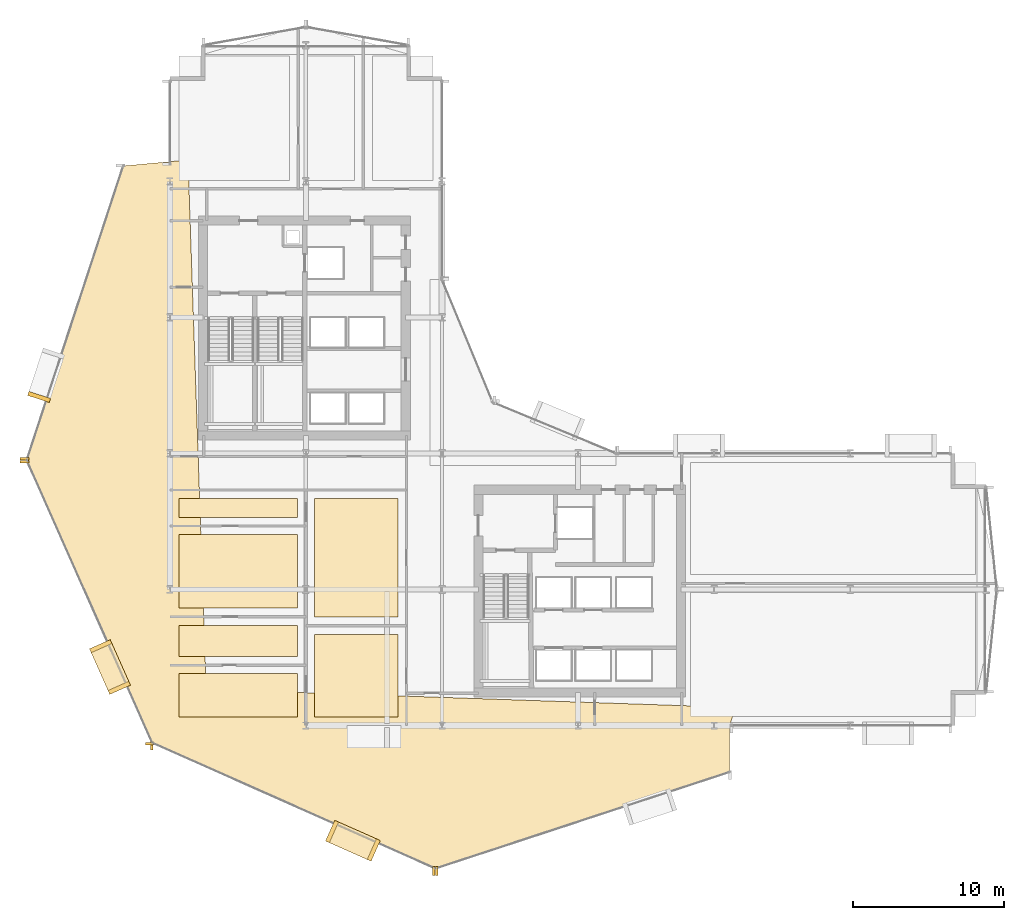
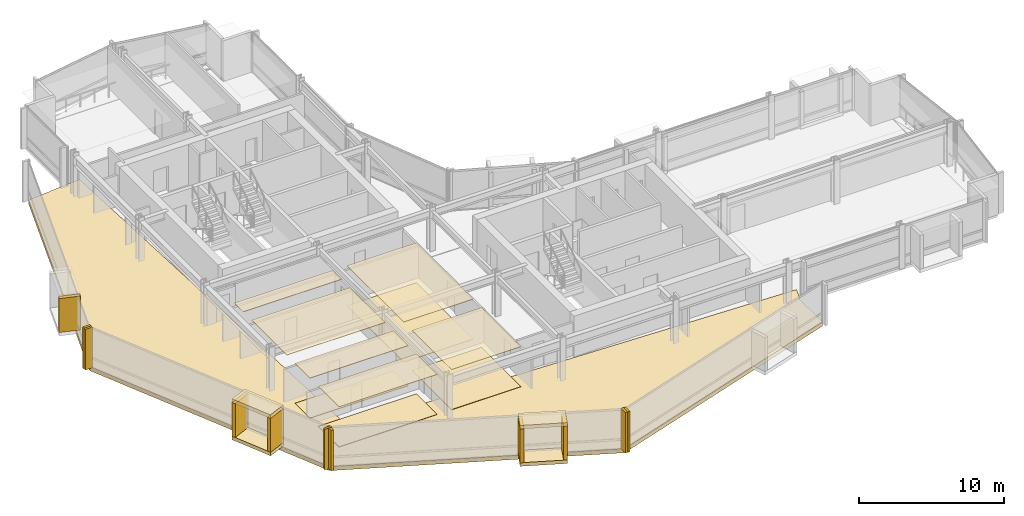
# One storey, part 30 of 34: 26 coverings.
"""IFC4 building model written with IfcOpenShell, lengths in metres."""

from ifc_helpers import new_model, si_unit, direction, frame, origin, origin_2d, place, context, subcontext, project, spatial, polyline, rectangle, outline, extrude, material, layer, layer_set, type_object, element, save


model = new_model("IFC4")

# Units and contexts
model_context = context("Model", 3, precision=1e-05, world=origin(), true_north=direction((0.0, 1.0)))
body_context = subcontext(model_context, "Body", "Model", "MODEL_VIEW")
ifc_project = project(units=[si_unit("LENGTHUNIT", "METRE"), si_unit("AREAUNIT", "SQUARE_METRE"), si_unit("VOLUMEUNIT", "CUBIC_METRE"), si_unit("PLANEANGLEUNIT", "RADIAN"), si_unit("MASSUNIT", "GRAM", prefix="KILO")], contexts=[model_context])

# Site, building, storey
site_placement = place(None, origin())
site = spatial("IfcSite", under=ifc_project, at=site_placement, CompositionType="ELEMENT")
building_placement = place(site_placement, origin())
building = spatial("IfcBuilding", under=site, at=building_placement, Name="Solvaryn Broadcast Tower", CompositionType="ELEMENT")
storey_placement = place(building_placement, frame((0.0, 0.0, 65.60009765625)))
storey = spatial("IfcBuildingStorey", under=building, at=storey_placement, Name="L15", CompositionType="ELEMENT", Elevation=65.60009765625)

# Coverings
ifc_material_1 = material(Name="Micro-Perforated Acoustic Gypsum Ceiling", Category="concrete")
ifc_layer_1 = layer(ifc_material_1, 0.0400390625)
ifc_layer_set_1 = layer_set([ifc_layer_1], Name="CV-CEIL-ACOUSTIC")
covering_type_1 = type_object("IfcCoveringType", Name="CV-CEIL-ACOUSTIC", PredefinedType="CEILING", material=ifc_layer_set_1)
covering_1_placement = place(storey_placement, frame((0.0, 0.0, 3.3798828125)))
element("IfcCovering", 1, at=covering_1_placement, inside=storey, type_object=covering_type_1, Name="L15 Room Acoustic Ceiling 1", PredefinedType="CEILING", context=body_context, shape_type="SweptSolid", body=[
    extrude(outline(polyline([(18.570068359375, 9.570068359375), (24.10009765625, 9.570068359375), (24.10009765625, 15.030029296875), (18.570068359375, 15.030029296875), (18.570068359375, 9.570068359375)])), origin(), (0.0, 0.0, 1.0), 0.0400390625),
])
covering_2_placement = place(storey_placement, frame((0.0, 0.0, 3.3798828125)))
element("IfcCovering", 2, at=covering_2_placement, inside=storey, type_object=covering_type_1, Name="L15 Room Acoustic Ceiling 2", PredefinedType="CEILING", context=body_context, shape_type="SweptSolid", body=[
    extrude(outline(polyline([(18.570068359375, 16.169921875), (24.10009765625, 16.169921875), (24.10009765625, 24.010009765625), (18.570068359375, 24.010009765625), (18.570068359375, 16.169921875)])), origin(), (0.0, 0.0, 1.0), 0.0400390625),
])
covering_3_placement = place(storey_placement, frame((0.0, 0.0, 3.3798828125)))
element("IfcCovering", 3, at=covering_3_placement, inside=storey, type_object=covering_type_1, Name="L15 Room Acoustic Ceiling 3", PredefinedType="CEILING", context=body_context, shape_type="SweptSolid", body=[
    extrude(outline(polyline([(9.60009765625, 9.570068359375), (17.429931640625, 9.570068359375), (17.429931640625, 12.429931640625), (9.60009765625, 12.429931640625), (9.60009765625, 9.570068359375)])), origin(), (0.0, 0.0, 1.0), 0.0400390625),
])
covering_4_placement = place(storey_placement, frame((0.0, 0.0, 3.3798828125)))
element("IfcCovering", 4, at=covering_4_placement, inside=storey, type_object=covering_type_1, Name="L15 Room Acoustic Ceiling 4", PredefinedType="CEILING", context=body_context, shape_type="SweptSolid", body=[
    extrude(outline(polyline([(9.60009765625, 13.570068359375), (17.429931640625, 13.570068359375), (17.429931640625, 15.6298828125), (9.60009765625, 15.6298828125), (9.60009765625, 13.570068359375)])), origin(), (0.0, 0.0, 1.0), 0.0400390625),
])
covering_5_placement = place(storey_placement, frame((0.0, 0.0, 3.3798828125)))
element("IfcCovering", 5, at=covering_5_placement, inside=storey, type_object=covering_type_1, Name="L15 Room Acoustic Ceiling 5", PredefinedType="CEILING", context=body_context, shape_type="SweptSolid", body=[
    extrude(outline(polyline([(9.60009765625, 16.77001953125), (17.429931640625, 16.77001953125), (17.429931640625, 21.6298828125), (9.60009765625, 21.6298828125), (9.60009765625, 16.77001953125)])), origin(), (0.0, 0.0, 1.0), 0.0400390625),
])
covering_6_placement = place(storey_placement, frame((0.0, 0.0, 3.3798828125)))
element("IfcCovering", 6, at=covering_6_placement, inside=storey, type_object=covering_type_1, Name="L15 Room Acoustic Ceiling 6", PredefinedType="CEILING", context=body_context, shape_type="SweptSolid", body=[
    extrude(outline(polyline([(9.60009765625, 22.77001953125), (17.429931640625, 22.77001953125), (17.429931640625, 24.010009765625), (9.60009765625, 24.010009765625), (9.60009765625, 22.77001953125)])), origin(), (0.0, 0.0, 1.0), 0.0400390625),
])
ifc_material_2 = material(Name="Newsroom Raised Data Access Flooring", Category="steel")
ifc_layer_2 = layer(ifc_material_2, 0.050048828125)
ifc_layer_set_2 = layer_set([ifc_layer_2], Name="CV-FLOOR-RAISED")
covering_type_2 = type_object("IfcCoveringType", Name="CV-FLOOR-RAISED", PredefinedType="FLOORING", material=ifc_layer_set_2)
covering_7_placement = place(storey_placement, origin())
element("IfcCovering", 7, at=covering_7_placement, inside=storey, type_object=covering_type_2, Name="L15 Room Acoustic Floor Finish 1", PredefinedType="FLOORING", context=body_context, shape_type="SweptSolid", body=[
    extrude(outline(polyline([(18.570068359375, 9.570068359375), (24.10009765625, 9.570068359375), (24.10009765625, 15.030029296875), (18.570068359375, 15.030029296875), (18.570068359375, 9.570068359375)])), origin(), (0.0, 0.0, 1.0), 0.0498046875),
])
covering_8_placement = place(storey_placement, origin())
element("IfcCovering", 8, at=covering_8_placement, inside=storey, type_object=covering_type_2, Name="L15 Room Acoustic Floor Finish 2", PredefinedType="FLOORING", context=body_context, shape_type="SweptSolid", body=[
    extrude(outline(polyline([(18.570068359375, 16.169921875), (24.10009765625, 16.169921875), (24.10009765625, 24.010009765625), (18.570068359375, 24.010009765625), (18.570068359375, 16.169921875)])), origin(), (0.0, 0.0, 1.0), 0.0498046875),
])
covering_9_placement = place(storey_placement, origin())
element("IfcCovering", 9, at=covering_9_placement, inside=storey, type_object=covering_type_2, Name="L15 Room Acoustic Floor Finish 3", PredefinedType="FLOORING", context=body_context, shape_type="SweptSolid", body=[
    extrude(outline(polyline([(9.60009765625, 9.570068359375), (17.429931640625, 9.570068359375), (17.429931640625, 12.429931640625), (9.60009765625, 12.429931640625), (9.60009765625, 9.570068359375)])), origin(), (0.0, 0.0, 1.0), 0.0498046875),
])
covering_10_placement = place(storey_placement, origin())
element("IfcCovering", 10, at=covering_10_placement, inside=storey, type_object=covering_type_2, Name="L15 Room Acoustic Floor Finish 4", PredefinedType="FLOORING", context=body_context, shape_type="SweptSolid", body=[
    extrude(outline(polyline([(9.60009765625, 13.570068359375), (17.429931640625, 13.570068359375), (17.429931640625, 15.6298828125), (9.60009765625, 15.6298828125), (9.60009765625, 13.570068359375)])), origin(), (0.0, 0.0, 1.0), 0.0498046875),
])
ifc_material_3 = material(Name="Glazed Architectural Terracotta Rainscreen Cladding", Category="masonry")
ifc_layer_3 = layer(ifc_material_3, 0.280029296875)
ifc_layer_set_3 = layer_set([ifc_layer_3], Name="CV-TC-CLAD")
covering_type_3 = type_object("IfcCoveringType", Name="CV-TC-CLAD", PredefinedType="CLADDING", material=ifc_layer_set_3)
covering_11_placement = place(storey_placement, frame((0.348388671875, 30.73828125, 0.27978515625), z_axis=(0.0, 0.0, 1.0), x_axis=(-0.311671636848, -0.950189870912, 0.0)))
element("IfcCovering", 11, at=covering_11_placement, inside=storey, type_object=covering_type_3, Name="L15 Projecting Stone Window Box Cheek 1-2", PredefinedType="CLADDING", context=body_context, shape_type="SweptSolid", body=[
    extrude(rectangle(XDim=0.280029296875, YDim=1.5, at=origin_2d()), origin(), (0.0, 0.0, 1.0), 2.860107421875),
])
for number, where, z_axis, x_axis, name in (
    (12, (5.035888671875, 12.8720703125, 3.1298828125), (0.0, 0.0, 1.0), (0.405939269498, -0.913900054426, 0.0), "L15 Projecting Stone Window Box Hood 2"),
    (13, (5.035888671875, 12.8720703125, -0.01025390625), (0.0, 0.0, 1.0), (0.405939269498, -0.913900054426, 0.0), "L15 Projecting Stone Window Box Sill 2"),
):
    element("IfcCovering", number, at=place(storey_placement, frame(where, z_axis=z_axis, x_axis=x_axis)), inside=storey, type_object=covering_type_3, Name=name, PredefinedType="CLADDING", context=body_context, shape_type="SweptSolid", body=[
        extrude(rectangle(XDim=3.300048828125, YDim=1.5, at=origin_2d()), origin(), (0.0, 0.0, 1.0), 0.300048828125),
    ])
for number, where, z_axis, x_axis, name in (
    (14, (4.423095703125, 14.251953125, 0.27978515625), (0.0, 0.0, 1.0), (0.405939269498, -0.913900054426, 0.0), "L15 Projecting Stone Window Box Cheek 2-1"),
    (15, (5.64892578125, 11.491943359375, 0.27978515625), (0.0, 0.0, 1.0), (0.405939269498, -0.913900054426, 0.0), "L15 Projecting Stone Window Box Cheek 2-2"),
):
    element("IfcCovering", number, at=place(storey_placement, frame(where, z_axis=z_axis, x_axis=x_axis)), inside=storey, type_object=covering_type_3, Name=name, PredefinedType="CLADDING", context=body_context, shape_type="SweptSolid", body=[
        extrude(rectangle(XDim=0.280029296875, YDim=1.5, at=origin_2d()), origin(), (0.0, 0.0, 1.0), 2.860107421875),
    ])
for number, where, z_axis, x_axis, name in (
    (16, (21.10498046875, 1.37890625, 3.1298828125), (0.0, 0.0, 1.0), (0.913900054426, -0.405939269498, 0.0), "L15 Projecting Stone Window Box Hood 3"),
    (17, (21.10498046875, 1.37890625, -0.01025390625), (0.0, 0.0, 1.0), (0.913900054426, -0.405939269498, 0.0), "L15 Projecting Stone Window Box Sill 3"),
):
    element("IfcCovering", number, at=place(storey_placement, frame(where, z_axis=z_axis, x_axis=x_axis)), inside=storey, type_object=covering_type_3, Name=name, PredefinedType="CLADDING", context=body_context, shape_type="SweptSolid", body=[
        extrude(rectangle(XDim=3.300048828125, YDim=1.5, at=origin_2d()), origin(), (0.0, 0.0, 1.0), 0.300048828125),
    ])
for number, where, z_axis, x_axis, name in (
    (18, (19.72509765625, 1.991943359375, 0.27978515625), (0.0, 0.0, 1.0), (0.913900054426, -0.405939269498, 0.0), "L15 Projecting Stone Window Box Cheek 3-1"),
    (19, (22.485107421875, 0.76611328125, 0.27978515625), (0.0, 0.0, 1.0), (0.913900054426, -0.405939269498, 0.0), "L15 Projecting Stone Window Box Cheek 3-2"),
):
    element("IfcCovering", number, at=place(storey_placement, frame(where, z_axis=z_axis, x_axis=x_axis)), inside=storey, type_object=covering_type_3, Name=name, PredefinedType="CLADDING", context=body_context, shape_type="SweptSolid", body=[
        extrude(rectangle(XDim=0.280029296875, YDim=1.5, at=origin_2d()), origin(), (0.0, 0.0, 1.0), 2.860107421875),
    ])
ifc_material_4 = material(Name="Extruded Architectural Terracotta Fin", Category="masonry")
ifc_layer_4 = layer(ifc_material_4, 0.179931640625)
ifc_layer_set_4 = layer_set([ifc_layer_4], Name="CV-TC-FIN")
covering_type_4 = type_object("IfcCoveringType", Name="CV-TC-FIN", PredefinedType="USERDEFINED", material=ifc_layer_set_4)
for number, where, z_axis, x_axis, name in (
    (20, (-0.625732421875, 26.644775390625, 0.0), (0.0, 0.0, 1.0), (1.0, 0.0, 0.0), "L15 Terracotta Vertical Fin FIN-L15-DR1-M01"),
    (21, (-0.6162109375, 26.459716796875, 0.0), (0.0, 0.0, 1.0), (1.0, 0.0, 0.0), "L15 Terracotta Vertical Fin FIN-L15-DR2-M00"),
    (22, (7.670654296875, 7.8017578125, 0.0), (0.0, 0.0, 1.0), (1.0, 0.0, 0.0), "L15 Terracotta Vertical Fin FIN-L15-DR2-M01"),
):
    element("IfcCovering", number, at=place(storey_placement, frame(where, z_axis=z_axis, x_axis=x_axis)), inside=storey, type_object=covering_type_4, Name=name, ObjectType="FIN", PredefinedType="USERDEFINED", context=body_context, shape_type="SweptSolid", body=[
        extrude(rectangle(XDim=0.580078125, YDim=0.179931640625, at=origin_2d()), origin(), (0.0, 0.0, 1.0), 3.419921875),
    ])
for number, where, z_axis, x_axis, name in (
    (23, (7.8017578125, 7.670654296875, 0.0), (0.0, 0.0, 1.0), (1.0, 0.0, 0.0), "L15 Terracotta Vertical Fin FIN-L15-DR3-M00"),
    (24, (26.459716796875, -0.6162109375, 0.0), (0.0, 0.0, 1.0), (1.0, 0.0, 0.0), "L15 Terracotta Vertical Fin FIN-L15-DR3-M01"),
    (25, (26.644775390625, -0.625732421875, 0.0), (0.0, 0.0, 1.0), (1.0, 0.0, 0.0), "L15 Terracotta Vertical Fin FIN-L15-DR4-M00"),
):
    element("IfcCovering", number, at=place(storey_placement, frame(where, z_axis=z_axis, x_axis=x_axis)), inside=storey, type_object=covering_type_4, Name=name, ObjectType="FIN", PredefinedType="USERDEFINED", context=body_context, shape_type="SweptSolid", body=[
        extrude(rectangle(XDim=0.179931640625, YDim=0.580078125, at=origin_2d()), origin(), (0.0, 0.0, 1.0), 3.419921875),
    ])
ifc_material_5 = material(Name="Sculpted Architectural Terracotta Wave Fascia", Category="masonry")
ifc_layer_5 = layer(ifc_material_5, 0.340087890625)
ifc_layer_set_5 = layer_set([ifc_layer_5], Name="CV-WAVE-TRAY")
covering_type_5 = type_object("IfcCoveringType", Name="CV-WAVE-TRAY", PredefinedType="CLADDING", material=ifc_layer_set_5)
covering_12_placement = place(storey_placement, frame((0.0, 0.0, -0.300048828125)))
element("IfcCovering", 26, at=covering_12_placement, inside=storey, type_object=covering_type_5, Name="L15 Stepped Cylindrical Drum Floor Apron", PredefinedType="CLADDING", context=body_context, shape_type="SweptSolid", body=[
    extrude(outline(polyline([(10.199951171875, 46.416015625), (5.916015625, 46.01611328125), (-0.464111328125, 26.56005859375), (7.846923828125, 7.846923828125), (26.56005859375, -0.464111328125), (46.01611328125, 5.916015625), (46.01611328125, 9.0), (46.416015625, 10.199951171875), (11.39990234375, 11.39990234375), (10.199951171875, 46.416015625)])), origin(), (0.0, 0.0, 1.0), 0.329833984375),
])

save(model, "model.ifc")
